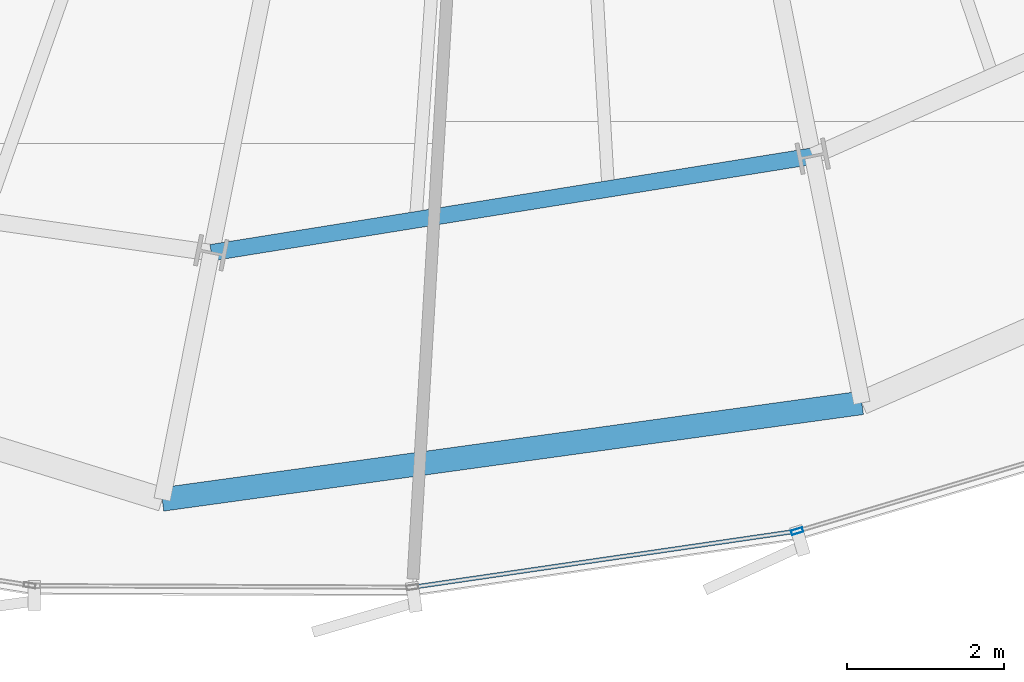
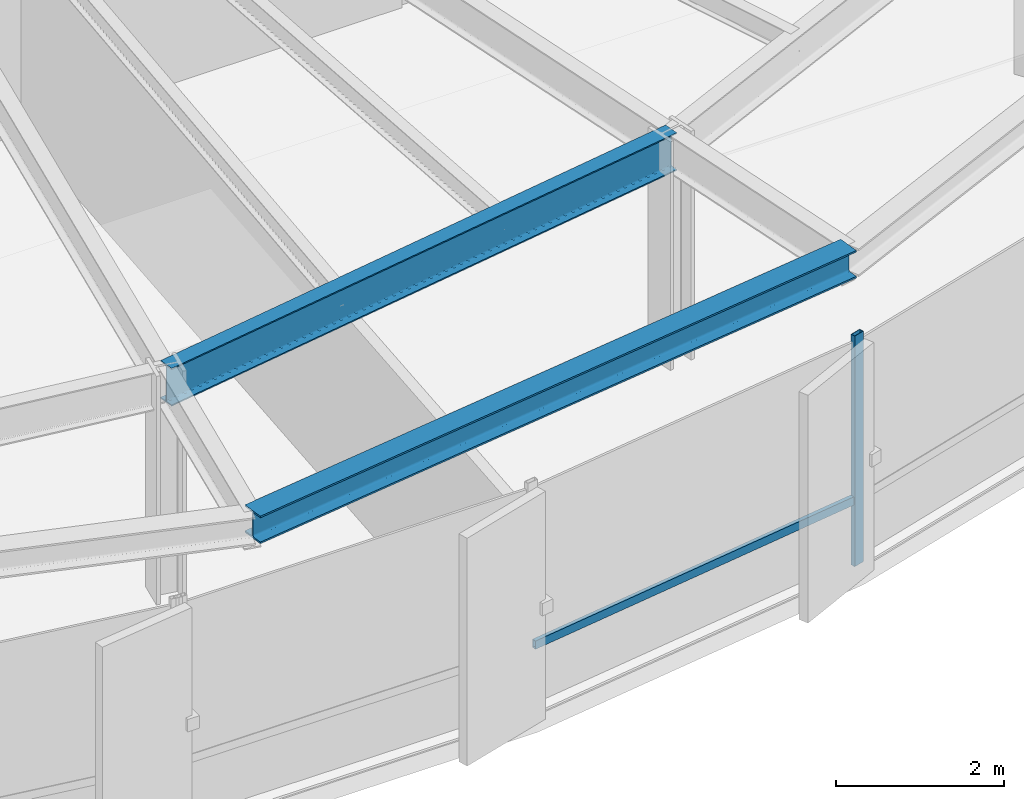
# One storey, part 6 of 33: 2 beams, 2 members, 1 element without a shape of its own.
"""IFC4 building model written with IfcOpenShell, lengths in metres."""

from ifc_helpers import new_model, si_unit, direction, frame, origin, origin_2d, place, context, subcontext, project, spatial, hollow_rectangle, i_section, extrude, source, transform, mapped, material, layer, layer_set, material_profile, profile_set, type_object, element, aggregate, save


model = new_model("IFC4")

# Units and contexts
model_context = context("Model", 3, precision=1e-05, world=origin(), true_north=direction((0.0, 1.0)))
body_context = subcontext(model_context, "Body", "Model", "MODEL_VIEW")
ifc_project = project(units=[si_unit("LENGTHUNIT", "METRE"), si_unit("AREAUNIT", "SQUARE_METRE"), si_unit("VOLUMEUNIT", "CUBIC_METRE"), si_unit("PLANEANGLEUNIT", "RADIAN"), si_unit("MASSUNIT", "GRAM", prefix="KILO"), si_unit("THERMODYNAMICTEMPERATUREUNIT", "KELVIN")], contexts=[model_context])

# Site, building, storey
site_placement = place(None, origin())
site = spatial("IfcSite", under=ifc_project, at=site_placement, CompositionType="ELEMENT")
building_placement = place(site_placement, origin())
building = spatial("IfcBuilding", under=site, at=building_placement, Name="Kethvar Cultural Tower", CompositionType="ELEMENT")
storey_placement = place(building_placement, frame((0.0, 0.0, 118.0)))
storey = spatial("IfcBuildingStorey", under=building, at=storey_placement, Name="L29", CompositionType="ELEMENT", Elevation=118.0)

# Beams
ifc_material_1 = material(Name="Steel S355J2", Category="steel")
ifc_material_profile_1 = material_profile(ifc_material_1, i_section(OverallWidth=0.2099609375, OverallDepth=0.550048828125, WebThickness=0.010986328125, FlangeThickness=0.01708984375, FilletRadius=0.02392578125, at=origin_2d()), Name="Steel S355J2 — IPE550")
ifc_profile_set_1 = profile_set([ifc_material_profile_1], Name="Steel S355J2 — IPE550")
beam_type_1 = type_object("IfcBeamType", Name="BM-IPE550", PredefinedType="BEAM", material=ifc_profile_set_1)
shared_shape_1 = source(origin(), body_context, "Body", "SweptSolid", [
    extrude(i_section(OverallWidth=0.2099609375, OverallDepth=0.550048828125, WebThickness=0.010986328125, FlangeThickness=0.01708984375, FilletRadius=0.02392578125, at=origin_2d()), origin(), (0.0, 0.0, 1.0), 7.749267578125),
])
beam_1_placement = place(storey_placement, frame((42.852294921875, 7.95361328125, 3.072998046875), z_axis=(0.987348257569, 0.158566762831, 0.0), x_axis=(-0.158566762831, 0.987348257569, 0.0)))
element("IfcBeam", 1, at=beam_1_placement, inside=storey, type_object=beam_type_1, Name="L29 Column Ring Tie Beam CR-12", PredefinedType="BEAM", context=body_context, shape_type="MappedRepresentation", body=[
    mapped(shared_shape_1, transform((0.0, 0.0, 0.0), scale=1.0)),
])
ifc_material_profile_2 = material_profile(ifc_material_1, i_section(OverallWidth=0.300048828125, OverallDepth=0.39990234375, WebThickness=0.013427734375, FlangeThickness=0.02392578125, FilletRadius=0.027099609375, at=origin_2d()), Name="Steel S355J2 — HEB400")
ifc_profile_set_2 = profile_set([ifc_material_profile_2], Name="Steel S355J2 — HEB400")
beam_type_2 = type_object("IfcBeamType", Name="BM-SP400", PredefinedType="SPANDREL", material=ifc_profile_set_2)
shared_shape_2 = source(origin(), body_context, "Body", "SweptSolid", [
    extrude(i_section(OverallWidth=0.300048828125, OverallDepth=0.39990234375, WebThickness=0.013427734375, FlangeThickness=0.02392578125, FilletRadius=0.027099609375, at=origin_2d()), origin(), (0.0, 0.0, 1.0), 8.984130859375),
])
beam_2_placement = place(storey_placement, frame((42.22802734375, 4.81494140625, 3.14794921875), z_axis=(0.990602728928, 0.136770733127, 0.0), x_axis=(-0.136770733127, 0.990602728928, 0.0)))
element("IfcBeam", 2, at=beam_2_placement, inside=storey, type_object=beam_type_2, Name="L29 Perimeter Spandrel Beam SP-12", PredefinedType="SPANDREL", context=body_context, shape_type="MappedRepresentation", body=[
    mapped(shared_shape_2, transform((0.0, 0.0, 0.0), scale=1.0)),
])

# Curtain wall, members
ifc_material_2 = material(Name="Aluminium 6063-T6", Category="aluminium")
ifc_layer = layer(ifc_material_2, 0.179931640625, Name="Aluminium 6063-T6", Category="aluminium")
ifc_layer_set = layer_set([ifc_layer], Name="Aluminium 6063-T6 (180 mm)")
curtain_wall_type = type_object("IfcCurtainWallType", Name="CW-SYS-03-Z2", PredefinedType="NOTDEFINED", material=ifc_layer_set)
curtain_wall_placement = place(storey_placement, origin())
curtain_wall = element("IfcCurtainWall", 3, at=curtain_wall_placement, inside=storey, type_object=curtain_wall_type, Name="L29 Curtain Wall Run 05", PredefinedType="NOTDEFINED")
ifc_material_profile_3 = material_profile(ifc_material_2, hollow_rectangle(XDim=0.06005859375, YDim=0.14990234375, WallThickness=0.0048828125, at=origin_2d()), Name="Aluminium 6063-T6 — RHS150x60x5")
ifc_profile_set_3 = profile_set([ifc_material_profile_3], Name="Aluminium 6063-T6 — RHS150x60x5")
member_type_1 = type_object("IfcMemberType", Name="CW-SYS-03-Z2-MUL", PredefinedType="MULLION", material=ifc_profile_set_3)
shared_shape_3 = source(origin(), body_context, "Body", "SweptSolid", [
    extrude(hollow_rectangle(XDim=0.06005859375, YDim=0.14990234375, WallThickness=0.0048828125, at=origin_2d()), origin(), (0.0, 0.0, 1.0), 3.35009765625),
])
member_1_placement = place(storey_placement, frame((50.3046875, 4.411376953125, 0.0), z_axis=(0.0, 0.0, 1.0), x_axis=(-0.285654915462, 0.958332546287, 0.0)))
member_1 = element("IfcMember", 4, at=member_1_placement, type_object=member_type_1, Name="CW-L29-R05 Mullion 3", PredefinedType="MULLION", context=body_context, shape_type="MappedRepresentation", body=[
    mapped(shared_shape_3, transform((0.0, 0.0, 0.0), scale=1.0)),
])
ifc_material_profile_4 = material_profile(ifc_material_2, hollow_rectangle(XDim=0.054931640625, YDim=0.1201171875, WallThickness=0.00390625, at=origin_2d()), Name="Aluminium 6063-T6 — RHS120x55x4")
ifc_profile_set_4 = profile_set([ifc_material_profile_4], Name="Aluminium 6063-T6 — RHS120x55x4")
member_type_2 = type_object("IfcMemberType", Name="CW-SYS-03-Z2-TRN", PredefinedType="USERDEFINED", material=ifc_profile_set_4)
shared_shape_4 = source(origin(), body_context, "Body", "SweptSolid", [
    extrude(hollow_rectangle(XDim=0.054931640625, YDim=0.1201171875, WallThickness=0.00390625, at=origin_2d()), origin(), (0.0, 0.0, 1.0), 4.874267578125),
])
member_2_placement = place(storey_placement, frame((45.455078125, 3.7041015625, 0.949951171875), z_axis=(0.989496740647, 0.144555180638, 0.0), x_axis=(-0.144555180638, 0.989496740647, 0.0)))
member_2 = element("IfcMember", 5, at=member_2_placement, type_object=member_type_2, Name="CW-L29-R05 Transom 2", ObjectType="TRANSOM", PredefinedType="USERDEFINED", context=body_context, shape_type="MappedRepresentation", body=[
    mapped(shared_shape_4, transform((0.0, 0.0, 0.0), scale=1.0)),
])
aggregate(curtain_wall, [member_1, member_2])

save(model, "model.ifc")
